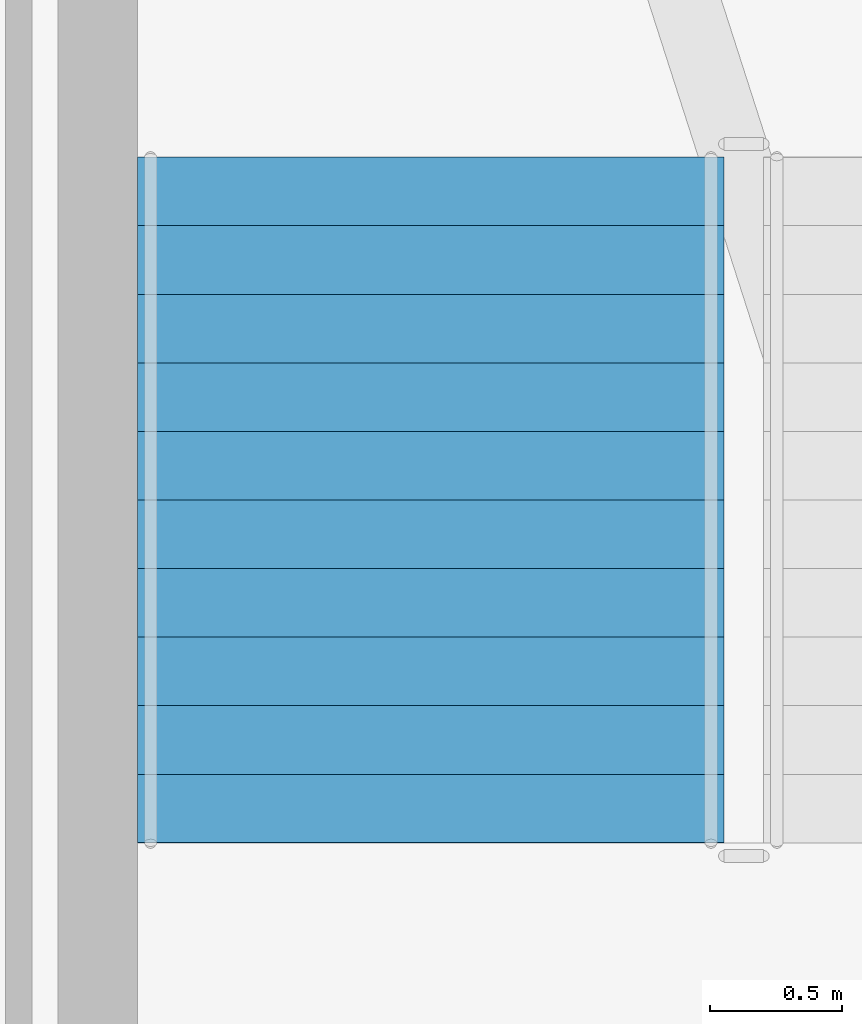
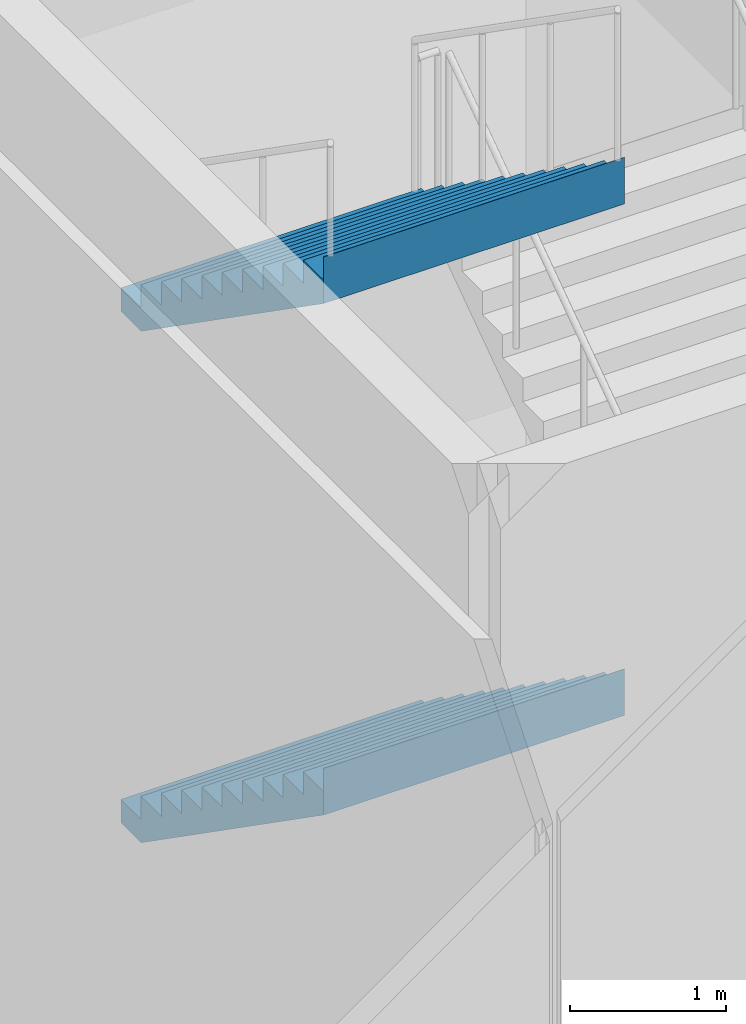
# One storey, part 29 of 36: 2 stair flights, 1 element without a shape of its own.
"""IFC4 building model written with IfcOpenShell, lengths in metres."""

from ifc_helpers import new_model, si_unit, direction, frame, origin, place, context, subcontext, project, spatial, triangles, material, type_object, element, aggregate, save


model = new_model("IFC4")

# Units and contexts
model_context = context("Model", 3, precision=1e-05, world=origin(), true_north=direction((0.0, 1.0)))
body_context = subcontext(model_context, "Body", "Model", "MODEL_VIEW")
ifc_project = project(units=[si_unit("LENGTHUNIT", "METRE"), si_unit("AREAUNIT", "SQUARE_METRE"), si_unit("VOLUMEUNIT", "CUBIC_METRE"), si_unit("PLANEANGLEUNIT", "RADIAN"), si_unit("MASSUNIT", "GRAM", prefix="KILO")], contexts=[model_context])

# Site, building, storey
site_placement = place(None, origin())
site = spatial("IfcSite", under=ifc_project, at=site_placement, CompositionType="ELEMENT")
building_placement = place(site_placement, origin())
building = spatial("IfcBuilding", under=site, at=building_placement, Name="Sahrelin Media Tower", CompositionType="ELEMENT")
storey_placement = place(building_placement, origin())
storey = spatial("IfcBuildingStorey", under=building, at=storey_placement, Name="L00", CompositionType="ELEMENT", Elevation=0.0)

# Stair, stair flights
ifc_material = material(Name="Concrete C40/50", Category="concrete")
stair_type = type_object("IfcStairType", Name="Podium stair 2225", PredefinedType="HALF_TURN_STAIR", material=ifc_material)
stair_placement = place(storey_placement, origin())
stair = element("IfcStair", 1, at=stair_placement, inside=storey, type_object=stair_type, Name="L00 Podium stair PS2", PredefinedType="HALF_TURN_STAIR")
stair_flight_type = type_object("IfcStairFlightType", Name="Stair flight 2225", PredefinedType="STRAIGHT", material=ifc_material)
stair_flight_1_placement = place(storey_placement, frame((-11.83740234375, 33.22509765625, 2.0), z_axis=(0.0, 0.0, 1.0), x_axis=(0.0, -1.0, 0.0)))
stair_flight_1 = element("IfcStairFlight", 2, at=stair_flight_1_placement, type_object=stair_flight_type, Name="PS2 flight 2", NumberOfRisers=11, NumberOfTreads=10, PredefinedType="STRAIGHT", RiserHeight=0.181818182, TreadLength=0.26, context=body_context, shape_type="Tessellation", body=[
    triangles([(0.261474609375, 1.112548828125, 0.0), (0.261474609375, 0.794677734375, 0.0), (0.261474609375, 0.476806640625, 0.0), (0.261474609375, 0.158935546875, 0.0), (0.261474609375, -0.158935546875, 0.0), (0.261474609375, -0.476806640625, 0.0), (0.261474609375, -0.794677734375, 0.0), (0.261474609375, -1.112548828125, 0.0), (2.60009765625, 1.112548828125, 1.63525390625), (2.60009765625, 0.794677734375, 1.63525390625), (2.60009765625, 0.476806640625, 1.63525390625), (2.60009765625, 0.158935546875, 1.63525390625), (2.60009765625, -0.158935546875, 1.63525390625), (2.60009765625, -0.476806640625, 1.63525390625), (2.60009765625, -0.794677734375, 1.63525390625), (2.60009765625, -1.112548828125, 1.63525390625), (2.60009765625, 1.112548828125, 2.0), (2.60009765625, 0.794677734375, 2.0), (2.60009765625, 0.476806640625, 2.0), (2.60009765625, 0.158935546875, 2.0), (2.60009765625, -0.158935546875, 2.0), (2.60009765625, -0.476806640625, 2.0), (2.60009765625, -0.794677734375, 2.0), (2.60009765625, -1.112548828125, 2.0), (2.597900390625, 1.112548828125, 2.0), (2.597900390625, 0.794677734375, 2.0), (2.597900390625, 0.476806640625, 2.0), (2.597900390625, 0.158935546875, 2.0), (2.597900390625, -0.158935546875, 2.0), (2.597900390625, -0.476806640625, 2.0), (2.597900390625, -0.794677734375, 2.0), (2.597900390625, -1.112548828125, 2.0), (2.597900390625, 1.112548828125, 1.818115234375), (2.597900390625, 0.794677734375, 1.818115234375), (2.597900390625, 0.476806640625, 1.818115234375), (2.597900390625, 0.158935546875, 1.818115234375), (2.597900390625, -0.158935546875, 1.818115234375), (2.597900390625, -0.476806640625, 1.818115234375), (2.597900390625, -0.794677734375, 1.818115234375), (2.597900390625, -1.112548828125, 1.818115234375), (2.340087890625, 1.112548828125, 1.818115234375), (2.340087890625, 0.794677734375, 1.818115234375), (2.340087890625, 0.476806640625, 1.818115234375), (2.340087890625, 0.158935546875, 1.818115234375), (2.340087890625, -0.158935546875, 1.818115234375), (2.340087890625, -0.476806640625, 1.818115234375), (2.340087890625, -0.794677734375, 1.818115234375), (2.340087890625, -1.112548828125, 1.818115234375), (2.340087890625, 1.112548828125, 1.636474609375), (2.340087890625, 0.794677734375, 1.636474609375), (2.340087890625, 0.476806640625, 1.636474609375), (2.340087890625, 0.158935546875, 1.636474609375), (2.340087890625, -0.158935546875, 1.636474609375), (2.340087890625, -0.476806640625, 1.636474609375), (2.340087890625, -0.794677734375, 1.636474609375), (2.340087890625, -1.112548828125, 1.636474609375), (2.080078125, 1.112548828125, 1.636474609375), (2.080078125, 0.794677734375, 1.636474609375), (2.080078125, 0.476806640625, 1.636474609375), (2.080078125, 0.158935546875, 1.636474609375), (2.080078125, -0.158935546875, 1.636474609375), (2.080078125, -0.476806640625, 1.636474609375), (2.080078125, -0.794677734375, 1.636474609375), (2.080078125, -1.112548828125, 1.636474609375), (2.080078125, 1.112548828125, 1.45458984375), (2.080078125, 0.794677734375, 1.45458984375), (2.080078125, 0.476806640625, 1.45458984375), (2.080078125, 0.158935546875, 1.45458984375), (2.080078125, -0.158935546875, 1.45458984375), (2.080078125, -0.476806640625, 1.45458984375), (2.080078125, -0.794677734375, 1.45458984375), (2.080078125, -1.112548828125, 1.45458984375), (1.820068359375, 1.112548828125, 1.45458984375), (1.820068359375, 0.794677734375, 1.45458984375), (1.820068359375, 0.476806640625, 1.45458984375), (1.820068359375, 0.158935546875, 1.45458984375), (1.820068359375, -0.158935546875, 1.45458984375), (1.820068359375, -0.476806640625, 1.45458984375), (1.820068359375, -0.794677734375, 1.45458984375), (1.820068359375, -1.112548828125, 1.45458984375), (1.820068359375, 1.112548828125, 1.272705078125), (1.820068359375, 0.794677734375, 1.272705078125), (1.820068359375, 0.476806640625, 1.272705078125), (1.820068359375, 0.158935546875, 1.272705078125), (1.820068359375, -0.158935546875, 1.272705078125), (1.820068359375, -0.476806640625, 1.272705078125), (1.820068359375, -0.794677734375, 1.272705078125), (1.820068359375, -1.112548828125, 1.272705078125), (1.56005859375, 1.112548828125, 1.272705078125), (1.56005859375, 0.794677734375, 1.272705078125), (1.56005859375, 0.476806640625, 1.272705078125), (1.56005859375, 0.158935546875, 1.272705078125), (1.56005859375, -0.158935546875, 1.272705078125), (1.56005859375, -0.476806640625, 1.272705078125), (1.56005859375, -0.794677734375, 1.272705078125), (1.56005859375, -1.112548828125, 1.272705078125), (1.56005859375, 1.112548828125, 1.0908203125), (1.56005859375, 0.794677734375, 1.0908203125), (1.56005859375, 0.476806640625, 1.0908203125), (1.56005859375, 0.158935546875, 1.0908203125), (1.56005859375, -0.158935546875, 1.0908203125), (1.56005859375, -0.476806640625, 1.0908203125), (1.56005859375, -0.794677734375, 1.0908203125), (1.56005859375, -1.112548828125, 1.0908203125), (1.300048828125, 1.112548828125, 1.0908203125), (1.300048828125, 0.794677734375, 1.0908203125), (1.300048828125, 0.476806640625, 1.0908203125), (1.300048828125, 0.158935546875, 1.0908203125), (1.300048828125, -0.158935546875, 1.0908203125), (1.300048828125, -0.476806640625, 1.0908203125), (1.300048828125, -0.794677734375, 1.0908203125), (1.300048828125, -1.112548828125, 1.0908203125), (1.300048828125, 1.112548828125, 0.9091796875), (1.300048828125, 0.794677734375, 0.9091796875), (1.300048828125, 0.476806640625, 0.9091796875), (1.300048828125, 0.158935546875, 0.9091796875), (1.300048828125, -0.158935546875, 0.9091796875), (1.300048828125, -0.476806640625, 0.9091796875), (1.300048828125, -0.794677734375, 0.9091796875), (1.300048828125, -1.112548828125, 0.9091796875), (1.0400390625, 1.112548828125, 0.9091796875), (1.0400390625, 0.794677734375, 0.9091796875), (1.0400390625, 0.476806640625, 0.9091796875), (1.0400390625, 0.158935546875, 0.9091796875), (1.0400390625, -0.158935546875, 0.9091796875), (1.0400390625, -0.476806640625, 0.9091796875), (1.0400390625, -0.794677734375, 0.9091796875), (1.0400390625, -1.112548828125, 0.9091796875), (1.0400390625, 1.112548828125, 0.727294921875), (1.0400390625, 0.794677734375, 0.727294921875), (1.0400390625, 0.476806640625, 0.727294921875), (1.0400390625, 0.158935546875, 0.727294921875), (1.0400390625, -0.158935546875, 0.727294921875), (1.0400390625, -0.476806640625, 0.727294921875), (1.0400390625, -0.794677734375, 0.727294921875), (1.0400390625, -1.112548828125, 0.727294921875), (0.780029296875, 1.112548828125, 0.727294921875), (0.780029296875, 0.794677734375, 0.727294921875), (0.780029296875, 0.476806640625, 0.727294921875), (0.780029296875, 0.158935546875, 0.727294921875), (0.780029296875, -0.158935546875, 0.727294921875), (0.780029296875, -0.476806640625, 0.727294921875), (0.780029296875, -0.794677734375, 0.727294921875), (0.780029296875, -1.112548828125, 0.727294921875), (0.780029296875, 1.112548828125, 0.54541015625), (0.780029296875, 0.794677734375, 0.54541015625), (0.780029296875, 0.476806640625, 0.54541015625), (0.780029296875, 0.158935546875, 0.54541015625), (0.780029296875, -0.158935546875, 0.54541015625), (0.780029296875, -0.476806640625, 0.54541015625), (0.780029296875, -0.794677734375, 0.54541015625), (0.780029296875, -1.112548828125, 0.54541015625), (0.52001953125, 1.112548828125, 0.54541015625), (0.52001953125, 0.794677734375, 0.54541015625), (0.52001953125, 0.476806640625, 0.54541015625), (0.52001953125, 0.158935546875, 0.54541015625), (0.52001953125, -0.158935546875, 0.54541015625), (0.52001953125, -0.476806640625, 0.54541015625), (0.52001953125, -0.794677734375, 0.54541015625), (0.52001953125, -1.112548828125, 0.54541015625), (0.52001953125, 1.112548828125, 0.363525390625), (0.52001953125, 0.794677734375, 0.363525390625), (0.52001953125, 0.476806640625, 0.363525390625), (0.52001953125, 0.158935546875, 0.363525390625), (0.52001953125, -0.158935546875, 0.363525390625), (0.52001953125, -0.476806640625, 0.363525390625), (0.52001953125, -0.794677734375, 0.363525390625), (0.52001953125, -1.112548828125, 0.363525390625), (0.260009765625, 1.112548828125, 0.363525390625), (0.260009765625, 0.794677734375, 0.363525390625), (0.260009765625, 0.476806640625, 0.363525390625), (0.260009765625, 0.158935546875, 0.363525390625), (0.260009765625, -0.158935546875, 0.363525390625), (0.260009765625, -0.476806640625, 0.363525390625), (0.260009765625, -0.794677734375, 0.363525390625), (0.260009765625, -1.112548828125, 0.363525390625), (0.260009765625, 1.112548828125, 0.181884765625), (0.260009765625, 0.794677734375, 0.181884765625), (0.260009765625, 0.476806640625, 0.181884765625), (0.260009765625, 0.158935546875, 0.181884765625), (0.260009765625, -0.158935546875, 0.181884765625), (0.260009765625, -0.476806640625, 0.181884765625), (0.260009765625, -0.794677734375, 0.181884765625), (0.260009765625, -1.112548828125, 0.181884765625), (0.0, 1.112548828125, 0.181884765625), (0.0, 0.794677734375, 0.181884765625), (0.0, 0.476806640625, 0.181884765625), (0.0, 0.158935546875, 0.181884765625), (0.0, -0.158935546875, 0.181884765625), (0.0, -0.476806640625, 0.181884765625), (0.0, -0.794677734375, 0.181884765625), (0.0, -1.112548828125, 0.181884765625), (0.0, 1.112548828125, 0.0), (0.0, 0.794677734375, 0.0), (0.0, 0.476806640625, 0.0), (0.0, 0.158935546875, 0.0), (0.0, -0.158935546875, 0.0), (0.0, -0.476806640625, 0.0), (0.0, -0.794677734375, 0.0), (0.0, -1.112548828125, 0.0)], [[1, 9, 10], [1, 10, 2], [2, 10, 11], [2, 11, 3], [3, 11, 12], [3, 12, 4], [4, 12, 13], [4, 13, 5], [5, 13, 14], [5, 14, 6], [6, 14, 15], [6, 15, 7], [7, 15, 16], [7, 16, 8], [9, 17, 18], [9, 18, 10], [10, 18, 19], [10, 19, 11], [11, 19, 20], [11, 20, 12], [12, 20, 21], [12, 21, 13], [13, 21, 22], [13, 22, 14], [14, 22, 23], [14, 23, 15], [15, 23, 24], [15, 24, 16], [17, 25, 26], [17, 26, 18], [18, 26, 27], [18, 27, 19], [19, 27, 28], [19, 28, 20], [20, 28, 29], [20, 29, 21], [21, 29, 30], [21, 30, 22], [22, 30, 31], [22, 31, 23], [23, 31, 32], [23, 32, 24], [25, 33, 34], [25, 34, 26], [26, 34, 35], [26, 35, 27], [27, 35, 36], [27, 36, 28], [28, 36, 37], [28, 37, 29], [29, 37, 38], [29, 38, 30], [30, 38, 39], [30, 39, 31], [31, 39, 40], [31, 40, 32], [33, 41, 42], [33, 42, 34], [34, 42, 43], [34, 43, 35], [35, 43, 44], [35, 44, 36], [36, 44, 45], [36, 45, 37], [37, 45, 46], [37, 46, 38], [38, 46, 47], [38, 47, 39], [39, 47, 48], [39, 48, 40], [41, 49, 50], [41, 50, 42], [42, 50, 51], [42, 51, 43], [43, 51, 52], [43, 52, 44], [44, 52, 53], [44, 53, 45], [45, 53, 54], [45, 54, 46], [46, 54, 55], [46, 55, 47], [47, 55, 56], [47, 56, 48], [49, 57, 58], [49, 58, 50], [50, 58, 59], [50, 59, 51], [51, 59, 60], [51, 60, 52], [52, 60, 61], [52, 61, 53], [53, 61, 62], [53, 62, 54], [54, 62, 63], [54, 63, 55], [55, 63, 64], [55, 64, 56], [57, 65, 66], [57, 66, 58], [58, 66, 67], [58, 67, 59], [59, 67, 68], [59, 68, 60], [60, 68, 69], [60, 69, 61], [61, 69, 70], [61, 70, 62], [62, 70, 71], [62, 71, 63], [63, 71, 72], [63, 72, 64], [65, 73, 74], [65, 74, 66], [66, 74, 75], [66, 75, 67], [67, 75, 76], [67, 76, 68], [68, 76, 77], [68, 77, 69], [69, 77, 78], [69, 78, 70], [70, 78, 79], [70, 79, 71], [71, 79, 80], [71, 80, 72], [73, 81, 82], [73, 82, 74], [74, 82, 83], [74, 83, 75], [75, 83, 84], [75, 84, 76], [76, 84, 85], [76, 85, 77], [77, 85, 86], [77, 86, 78], [78, 86, 87], [78, 87, 79], [79, 87, 88], [79, 88, 80], [81, 89, 90], [81, 90, 82], [82, 90, 91], [82, 91, 83], [83, 91, 92], [83, 92, 84], [84, 92, 93], [84, 93, 85], [85, 93, 94], [85, 94, 86], [86, 94, 95], [86, 95, 87], [87, 95, 96], [87, 96, 88], [89, 97, 98], [89, 98, 90], [90, 98, 99], [90, 99, 91], [91, 99, 100], [91, 100, 92], [92, 100, 101], [92, 101, 93], [93, 101, 102], [93, 102, 94], [94, 102, 103], [94, 103, 95], [95, 103, 104], [95, 104, 96], [97, 105, 106], [97, 106, 98], [98, 106, 107], [98, 107, 99], [99, 107, 108], [99, 108, 100], [100, 108, 109], [100, 109, 101], [101, 109, 110], [101, 110, 102], [102, 110, 111], [102, 111, 103], [103, 111, 112], [103, 112, 104], [105, 113, 114], [105, 114, 106], [106, 114, 115], [106, 115, 107], [107, 115, 116], [107, 116, 108], [108, 116, 117], [108, 117, 109], [109, 117, 118], [109, 118, 110], [110, 118, 119], [110, 119, 111], [111, 119, 120], [111, 120, 112], [113, 121, 122], [113, 122, 114], [114, 122, 123], [114, 123, 115], [115, 123, 124], [115, 124, 116], [116, 124, 125], [116, 125, 117], [117, 125, 126], [117, 126, 118], [118, 126, 127], [118, 127, 119], [119, 127, 128], [119, 128, 120], [121, 129, 130], [121, 130, 122], [122, 130, 131], [122, 131, 123], [123, 131, 132], [123, 132, 124], [124, 132, 133], [124, 133, 125], [125, 133, 134], [125, 134, 126], [126, 134, 135], [126, 135, 127], [127, 135, 136], [127, 136, 128], [129, 137, 138], [129, 138, 130], [130, 138, 139], [130, 139, 131], [131, 139, 140], [131, 140, 132], [132, 140, 141], [132, 141, 133], [133, 141, 142], [133, 142, 134], [134, 142, 143], [134, 143, 135], [135, 143, 144], [135, 144, 136], [137, 145, 146], [137, 146, 138], [138, 146, 147], [138, 147, 139], [139, 147, 148], [139, 148, 140], [140, 148, 149], [140, 149, 141], [141, 149, 150], [141, 150, 142], [142, 150, 151], [142, 151, 143], [143, 151, 152], [143, 152, 144], [145, 153, 154], [145, 154, 146], [146, 154, 155], [146, 155, 147], [147, 155, 156], [147, 156, 148], [148, 156, 157], [148, 157, 149], [149, 157, 158], [149, 158, 150], [150, 158, 159], [150, 159, 151], [151, 159, 160], [151, 160, 152], [153, 161, 162], [153, 162, 154], [154, 162, 163], [154, 163, 155], [155, 163, 164], [155, 164, 156], [156, 164, 165], [156, 165, 157], [157, 165, 166], [157, 166, 158], [158, 166, 167], [158, 167, 159], [159, 167, 168], [159, 168, 160], [161, 169, 170], [161, 170, 162], [162, 170, 171], [162, 171, 163], [163, 171, 172], [163, 172, 164], [164, 172, 173], [164, 173, 165], [165, 173, 174], [165, 174, 166], [166, 174, 175], [166, 175, 167], [167, 175, 176], [167, 176, 168], [169, 177, 178], [169, 178, 170], [170, 178, 179], [170, 179, 171], [171, 179, 180], [171, 180, 172], [172, 180, 181], [172, 181, 173], [173, 181, 182], [173, 182, 174], [174, 182, 183], [174, 183, 175], [175, 183, 184], [175, 184, 176], [177, 185, 186], [177, 186, 178], [178, 186, 187], [178, 187, 179], [179, 187, 188], [179, 188, 180], [180, 188, 189], [180, 189, 181], [181, 189, 190], [181, 190, 182], [182, 190, 191], [182, 191, 183], [183, 191, 192], [183, 192, 184], [185, 193, 194], [185, 194, 186], [186, 194, 195], [186, 195, 187], [187, 195, 196], [187, 196, 188], [188, 196, 197], [188, 197, 189], [189, 197, 198], [189, 198, 190], [190, 198, 199], [190, 199, 191], [191, 199, 200], [191, 200, 192], [193, 1, 2], [193, 2, 194], [194, 2, 3], [194, 3, 195], [195, 3, 4], [195, 4, 196], [196, 4, 5], [196, 5, 197], [197, 5, 6], [197, 6, 198], [198, 6, 7], [198, 7, 199], [199, 7, 8], [199, 8, 200], [184, 192, 200], [177, 193, 185], [184, 168, 176], [177, 169, 161], [168, 152, 160], [161, 153, 145], [152, 136, 144], [145, 137, 129], [136, 120, 128], [129, 121, 113], [120, 104, 112], [113, 105, 97], [104, 88, 96], [97, 89, 81], [88, 72, 80], [81, 73, 65], [72, 56, 64], [65, 57, 49], [56, 40, 48], [49, 41, 33], [40, 24, 32], [33, 25, 17], [200, 8, 184], [193, 177, 1], [40, 16, 24], [33, 17, 9], [168, 184, 8], [161, 1, 177], [56, 16, 40], [49, 33, 9], [152, 168, 8], [145, 1, 161], [72, 16, 56], [65, 49, 9], [136, 152, 8], [129, 1, 145], [88, 16, 72], [81, 65, 9], [120, 136, 8], [113, 1, 129], [104, 16, 88], [97, 81, 9], [8, 16, 120], [1, 113, 9], [120, 16, 104], [113, 97, 9]], closed=True),
])
stair_flight_2_placement = place(storey_placement, frame((-11.83740234375, 33.22509765625, 6.0), z_axis=(0.0, 0.0, 1.0), x_axis=(0.0, -1.0, 0.0)))
stair_flight_2 = element("IfcStairFlight", 3, at=stair_flight_2_placement, type_object=stair_flight_type, Name="PS2 flight 4", NumberOfRisers=11, NumberOfTreads=10, PredefinedType="STRAIGHT", RiserHeight=0.181818182, TreadLength=0.26, context=body_context, shape_type="Tessellation", body=[
    triangles([(0.261474609375, 1.112548828125, 0.0), (0.261474609375, 0.794677734375, 0.0), (0.261474609375, 0.476806640625, 0.0), (0.261474609375, 0.158935546875, 0.0), (0.261474609375, -0.158935546875, 0.0), (0.261474609375, -0.476806640625, 0.0), (0.261474609375, -0.794677734375, 0.0), (0.261474609375, -1.112548828125, 0.0), (2.60009765625, 1.112548828125, 1.63525390625), (2.60009765625, 0.794677734375, 1.63525390625), (2.60009765625, 0.476806640625, 1.63525390625), (2.60009765625, 0.158935546875, 1.63525390625), (2.60009765625, -0.158935546875, 1.63525390625), (2.60009765625, -0.476806640625, 1.63525390625), (2.60009765625, -0.794677734375, 1.63525390625), (2.60009765625, -1.112548828125, 1.63525390625), (2.60009765625, 1.112548828125, 2.0), (2.60009765625, 0.794677734375, 2.0), (2.60009765625, 0.476806640625, 2.0), (2.60009765625, 0.158935546875, 2.0), (2.60009765625, -0.158935546875, 2.0), (2.60009765625, -0.476806640625, 2.0), (2.60009765625, -0.794677734375, 2.0), (2.60009765625, -1.112548828125, 2.0), (2.597900390625, 1.112548828125, 2.0), (2.597900390625, 0.794677734375, 2.0), (2.597900390625, 0.476806640625, 2.0), (2.597900390625, 0.158935546875, 2.0), (2.597900390625, -0.158935546875, 2.0), (2.597900390625, -0.476806640625, 2.0), (2.597900390625, -0.794677734375, 2.0), (2.597900390625, -1.112548828125, 2.0), (2.597900390625, 1.112548828125, 1.818115234375), (2.597900390625, 0.794677734375, 1.818115234375), (2.597900390625, 0.476806640625, 1.818115234375), (2.597900390625, 0.158935546875, 1.818115234375), (2.597900390625, -0.158935546875, 1.818115234375), (2.597900390625, -0.476806640625, 1.818115234375), (2.597900390625, -0.794677734375, 1.818115234375), (2.597900390625, -1.112548828125, 1.818115234375), (2.340087890625, 1.112548828125, 1.818115234375), (2.340087890625, 0.794677734375, 1.818115234375), (2.340087890625, 0.476806640625, 1.818115234375), (2.340087890625, 0.158935546875, 1.818115234375), (2.340087890625, -0.158935546875, 1.818115234375), (2.340087890625, -0.476806640625, 1.818115234375), (2.340087890625, -0.794677734375, 1.818115234375), (2.340087890625, -1.112548828125, 1.818115234375), (2.340087890625, 1.112548828125, 1.636474609375), (2.340087890625, 0.794677734375, 1.636474609375), (2.340087890625, 0.476806640625, 1.636474609375), (2.340087890625, 0.158935546875, 1.636474609375), (2.340087890625, -0.158935546875, 1.636474609375), (2.340087890625, -0.476806640625, 1.636474609375), (2.340087890625, -0.794677734375, 1.636474609375), (2.340087890625, -1.112548828125, 1.636474609375), (2.080078125, 1.112548828125, 1.636474609375), (2.080078125, 0.794677734375, 1.636474609375), (2.080078125, 0.476806640625, 1.636474609375), (2.080078125, 0.158935546875, 1.636474609375), (2.080078125, -0.158935546875, 1.636474609375), (2.080078125, -0.476806640625, 1.636474609375), (2.080078125, -0.794677734375, 1.636474609375), (2.080078125, -1.112548828125, 1.636474609375), (2.080078125, 1.112548828125, 1.45458984375), (2.080078125, 0.794677734375, 1.45458984375), (2.080078125, 0.476806640625, 1.45458984375), (2.080078125, 0.158935546875, 1.45458984375), (2.080078125, -0.158935546875, 1.45458984375), (2.080078125, -0.476806640625, 1.45458984375), (2.080078125, -0.794677734375, 1.45458984375), (2.080078125, -1.112548828125, 1.45458984375), (1.820068359375, 1.112548828125, 1.45458984375), (1.820068359375, 0.794677734375, 1.45458984375), (1.820068359375, 0.476806640625, 1.45458984375), (1.820068359375, 0.158935546875, 1.45458984375), (1.820068359375, -0.158935546875, 1.45458984375), (1.820068359375, -0.476806640625, 1.45458984375), (1.820068359375, -0.794677734375, 1.45458984375), (1.820068359375, -1.112548828125, 1.45458984375), (1.820068359375, 1.112548828125, 1.272705078125), (1.820068359375, 0.794677734375, 1.272705078125), (1.820068359375, 0.476806640625, 1.272705078125), (1.820068359375, 0.158935546875, 1.272705078125), (1.820068359375, -0.158935546875, 1.272705078125), (1.820068359375, -0.476806640625, 1.272705078125), (1.820068359375, -0.794677734375, 1.272705078125), (1.820068359375, -1.112548828125, 1.272705078125), (1.56005859375, 1.112548828125, 1.272705078125), (1.56005859375, 0.794677734375, 1.272705078125), (1.56005859375, 0.476806640625, 1.272705078125), (1.56005859375, 0.158935546875, 1.272705078125), (1.56005859375, -0.158935546875, 1.272705078125), (1.56005859375, -0.476806640625, 1.272705078125), (1.56005859375, -0.794677734375, 1.272705078125), (1.56005859375, -1.112548828125, 1.272705078125), (1.56005859375, 1.112548828125, 1.0908203125), (1.56005859375, 0.794677734375, 1.0908203125), (1.56005859375, 0.476806640625, 1.0908203125), (1.56005859375, 0.158935546875, 1.0908203125), (1.56005859375, -0.158935546875, 1.0908203125), (1.56005859375, -0.476806640625, 1.0908203125), (1.56005859375, -0.794677734375, 1.0908203125), (1.56005859375, -1.112548828125, 1.0908203125), (1.300048828125, 1.112548828125, 1.0908203125), (1.300048828125, 0.794677734375, 1.0908203125), (1.300048828125, 0.476806640625, 1.0908203125), (1.300048828125, 0.158935546875, 1.0908203125), (1.300048828125, -0.158935546875, 1.0908203125), (1.300048828125, -0.476806640625, 1.0908203125), (1.300048828125, -0.794677734375, 1.0908203125), (1.300048828125, -1.112548828125, 1.0908203125), (1.300048828125, 1.112548828125, 0.9091796875), (1.300048828125, 0.794677734375, 0.9091796875), (1.300048828125, 0.476806640625, 0.9091796875), (1.300048828125, 0.158935546875, 0.9091796875), (1.300048828125, -0.158935546875, 0.9091796875), (1.300048828125, -0.476806640625, 0.9091796875), (1.300048828125, -0.794677734375, 0.9091796875), (1.300048828125, -1.112548828125, 0.9091796875), (1.0400390625, 1.112548828125, 0.9091796875), (1.0400390625, 0.794677734375, 0.9091796875), (1.0400390625, 0.476806640625, 0.9091796875), (1.0400390625, 0.158935546875, 0.9091796875), (1.0400390625, -0.158935546875, 0.9091796875), (1.0400390625, -0.476806640625, 0.9091796875), (1.0400390625, -0.794677734375, 0.9091796875), (1.0400390625, -1.112548828125, 0.9091796875), (1.0400390625, 1.112548828125, 0.727294921875), (1.0400390625, 0.794677734375, 0.727294921875), (1.0400390625, 0.476806640625, 0.727294921875), (1.0400390625, 0.158935546875, 0.727294921875), (1.0400390625, -0.158935546875, 0.727294921875), (1.0400390625, -0.476806640625, 0.727294921875), (1.0400390625, -0.794677734375, 0.727294921875), (1.0400390625, -1.112548828125, 0.727294921875), (0.780029296875, 1.112548828125, 0.727294921875), (0.780029296875, 0.794677734375, 0.727294921875), (0.780029296875, 0.476806640625, 0.727294921875), (0.780029296875, 0.158935546875, 0.727294921875), (0.780029296875, -0.158935546875, 0.727294921875), (0.780029296875, -0.476806640625, 0.727294921875), (0.780029296875, -0.794677734375, 0.727294921875), (0.780029296875, -1.112548828125, 0.727294921875), (0.780029296875, 1.112548828125, 0.54541015625), (0.780029296875, 0.794677734375, 0.54541015625), (0.780029296875, 0.476806640625, 0.54541015625), (0.780029296875, 0.158935546875, 0.54541015625), (0.780029296875, -0.158935546875, 0.54541015625), (0.780029296875, -0.476806640625, 0.54541015625), (0.780029296875, -0.794677734375, 0.54541015625), (0.780029296875, -1.112548828125, 0.54541015625), (0.52001953125, 1.112548828125, 0.54541015625), (0.52001953125, 0.794677734375, 0.54541015625), (0.52001953125, 0.476806640625, 0.54541015625), (0.52001953125, 0.158935546875, 0.54541015625), (0.52001953125, -0.158935546875, 0.54541015625), (0.52001953125, -0.476806640625, 0.54541015625), (0.52001953125, -0.794677734375, 0.54541015625), (0.52001953125, -1.112548828125, 0.54541015625), (0.52001953125, 1.112548828125, 0.363525390625), (0.52001953125, 0.794677734375, 0.363525390625), (0.52001953125, 0.476806640625, 0.363525390625), (0.52001953125, 0.158935546875, 0.363525390625), (0.52001953125, -0.158935546875, 0.363525390625), (0.52001953125, -0.476806640625, 0.363525390625), (0.52001953125, -0.794677734375, 0.363525390625), (0.52001953125, -1.112548828125, 0.363525390625), (0.260009765625, 1.112548828125, 0.363525390625), (0.260009765625, 0.794677734375, 0.363525390625), (0.260009765625, 0.476806640625, 0.363525390625), (0.260009765625, 0.158935546875, 0.363525390625), (0.260009765625, -0.158935546875, 0.363525390625), (0.260009765625, -0.476806640625, 0.363525390625), (0.260009765625, -0.794677734375, 0.363525390625), (0.260009765625, -1.112548828125, 0.363525390625), (0.260009765625, 1.112548828125, 0.181884765625), (0.260009765625, 0.794677734375, 0.181884765625), (0.260009765625, 0.476806640625, 0.181884765625), (0.260009765625, 0.158935546875, 0.181884765625), (0.260009765625, -0.158935546875, 0.181884765625), (0.260009765625, -0.476806640625, 0.181884765625), (0.260009765625, -0.794677734375, 0.181884765625), (0.260009765625, -1.112548828125, 0.181884765625), (0.0, 1.112548828125, 0.181884765625), (0.0, 0.794677734375, 0.181884765625), (0.0, 0.476806640625, 0.181884765625), (0.0, 0.158935546875, 0.181884765625), (0.0, -0.158935546875, 0.181884765625), (0.0, -0.476806640625, 0.181884765625), (0.0, -0.794677734375, 0.181884765625), (0.0, -1.112548828125, 0.181884765625), (0.0, 1.112548828125, 0.0), (0.0, 0.794677734375, 0.0), (0.0, 0.476806640625, 0.0), (0.0, 0.158935546875, 0.0), (0.0, -0.158935546875, 0.0), (0.0, -0.476806640625, 0.0), (0.0, -0.794677734375, 0.0), (0.0, -1.112548828125, 0.0)], [[1, 9, 10], [1, 10, 2], [2, 10, 11], [2, 11, 3], [3, 11, 12], [3, 12, 4], [4, 12, 13], [4, 13, 5], [5, 13, 14], [5, 14, 6], [6, 14, 15], [6, 15, 7], [7, 15, 16], [7, 16, 8], [9, 17, 18], [9, 18, 10], [10, 18, 19], [10, 19, 11], [11, 19, 20], [11, 20, 12], [12, 20, 21], [12, 21, 13], [13, 21, 22], [13, 22, 14], [14, 22, 23], [14, 23, 15], [15, 23, 24], [15, 24, 16], [17, 25, 26], [17, 26, 18], [18, 26, 27], [18, 27, 19], [19, 27, 28], [19, 28, 20], [20, 28, 29], [20, 29, 21], [21, 29, 30], [21, 30, 22], [22, 30, 31], [22, 31, 23], [23, 31, 32], [23, 32, 24], [25, 33, 34], [25, 34, 26], [26, 34, 35], [26, 35, 27], [27, 35, 36], [27, 36, 28], [28, 36, 37], [28, 37, 29], [29, 37, 38], [29, 38, 30], [30, 38, 39], [30, 39, 31], [31, 39, 40], [31, 40, 32], [33, 41, 42], [33, 42, 34], [34, 42, 43], [34, 43, 35], [35, 43, 44], [35, 44, 36], [36, 44, 45], [36, 45, 37], [37, 45, 46], [37, 46, 38], [38, 46, 47], [38, 47, 39], [39, 47, 48], [39, 48, 40], [41, 49, 50], [41, 50, 42], [42, 50, 51], [42, 51, 43], [43, 51, 52], [43, 52, 44], [44, 52, 53], [44, 53, 45], [45, 53, 54], [45, 54, 46], [46, 54, 55], [46, 55, 47], [47, 55, 56], [47, 56, 48], [49, 57, 58], [49, 58, 50], [50, 58, 59], [50, 59, 51], [51, 59, 60], [51, 60, 52], [52, 60, 61], [52, 61, 53], [53, 61, 62], [53, 62, 54], [54, 62, 63], [54, 63, 55], [55, 63, 64], [55, 64, 56], [57, 65, 66], [57, 66, 58], [58, 66, 67], [58, 67, 59], [59, 67, 68], [59, 68, 60], [60, 68, 69], [60, 69, 61], [61, 69, 70], [61, 70, 62], [62, 70, 71], [62, 71, 63], [63, 71, 72], [63, 72, 64], [65, 73, 74], [65, 74, 66], [66, 74, 75], [66, 75, 67], [67, 75, 76], [67, 76, 68], [68, 76, 77], [68, 77, 69], [69, 77, 78], [69, 78, 70], [70, 78, 79], [70, 79, 71], [71, 79, 80], [71, 80, 72], [73, 81, 82], [73, 82, 74], [74, 82, 83], [74, 83, 75], [75, 83, 84], [75, 84, 76], [76, 84, 85], [76, 85, 77], [77, 85, 86], [77, 86, 78], [78, 86, 87], [78, 87, 79], [79, 87, 88], [79, 88, 80], [81, 89, 90], [81, 90, 82], [82, 90, 91], [82, 91, 83], [83, 91, 92], [83, 92, 84], [84, 92, 93], [84, 93, 85], [85, 93, 94], [85, 94, 86], [86, 94, 95], [86, 95, 87], [87, 95, 96], [87, 96, 88], [89, 97, 98], [89, 98, 90], [90, 98, 99], [90, 99, 91], [91, 99, 100], [91, 100, 92], [92, 100, 101], [92, 101, 93], [93, 101, 102], [93, 102, 94], [94, 102, 103], [94, 103, 95], [95, 103, 104], [95, 104, 96], [97, 105, 106], [97, 106, 98], [98, 106, 107], [98, 107, 99], [99, 107, 108], [99, 108, 100], [100, 108, 109], [100, 109, 101], [101, 109, 110], [101, 110, 102], [102, 110, 111], [102, 111, 103], [103, 111, 112], [103, 112, 104], [105, 113, 114], [105, 114, 106], [106, 114, 115], [106, 115, 107], [107, 115, 116], [107, 116, 108], [108, 116, 117], [108, 117, 109], [109, 117, 118], [109, 118, 110], [110, 118, 119], [110, 119, 111], [111, 119, 120], [111, 120, 112], [113, 121, 122], [113, 122, 114], [114, 122, 123], [114, 123, 115], [115, 123, 124], [115, 124, 116], [116, 124, 125], [116, 125, 117], [117, 125, 126], [117, 126, 118], [118, 126, 127], [118, 127, 119], [119, 127, 128], [119, 128, 120], [121, 129, 130], [121, 130, 122], [122, 130, 131], [122, 131, 123], [123, 131, 132], [123, 132, 124], [124, 132, 133], [124, 133, 125], [125, 133, 134], [125, 134, 126], [126, 134, 135], [126, 135, 127], [127, 135, 136], [127, 136, 128], [129, 137, 138], [129, 138, 130], [130, 138, 139], [130, 139, 131], [131, 139, 140], [131, 140, 132], [132, 140, 141], [132, 141, 133], [133, 141, 142], [133, 142, 134], [134, 142, 143], [134, 143, 135], [135, 143, 144], [135, 144, 136], [137, 145, 146], [137, 146, 138], [138, 146, 147], [138, 147, 139], [139, 147, 148], [139, 148, 140], [140, 148, 149], [140, 149, 141], [141, 149, 150], [141, 150, 142], [142, 150, 151], [142, 151, 143], [143, 151, 152], [143, 152, 144], [145, 153, 154], [145, 154, 146], [146, 154, 155], [146, 155, 147], [147, 155, 156], [147, 156, 148], [148, 156, 157], [148, 157, 149], [149, 157, 158], [149, 158, 150], [150, 158, 159], [150, 159, 151], [151, 159, 160], [151, 160, 152], [153, 161, 162], [153, 162, 154], [154, 162, 163], [154, 163, 155], [155, 163, 164], [155, 164, 156], [156, 164, 165], [156, 165, 157], [157, 165, 166], [157, 166, 158], [158, 166, 167], [158, 167, 159], [159, 167, 168], [159, 168, 160], [161, 169, 170], [161, 170, 162], [162, 170, 171], [162, 171, 163], [163, 171, 172], [163, 172, 164], [164, 172, 173], [164, 173, 165], [165, 173, 174], [165, 174, 166], [166, 174, 175], [166, 175, 167], [167, 175, 176], [167, 176, 168], [169, 177, 178], [169, 178, 170], [170, 178, 179], [170, 179, 171], [171, 179, 180], [171, 180, 172], [172, 180, 181], [172, 181, 173], [173, 181, 182], [173, 182, 174], [174, 182, 183], [174, 183, 175], [175, 183, 184], [175, 184, 176], [177, 185, 186], [177, 186, 178], [178, 186, 187], [178, 187, 179], [179, 187, 188], [179, 188, 180], [180, 188, 189], [180, 189, 181], [181, 189, 190], [181, 190, 182], [182, 190, 191], [182, 191, 183], [183, 191, 192], [183, 192, 184], [185, 193, 194], [185, 194, 186], [186, 194, 195], [186, 195, 187], [187, 195, 196], [187, 196, 188], [188, 196, 197], [188, 197, 189], [189, 197, 198], [189, 198, 190], [190, 198, 199], [190, 199, 191], [191, 199, 200], [191, 200, 192], [193, 1, 2], [193, 2, 194], [194, 2, 3], [194, 3, 195], [195, 3, 4], [195, 4, 196], [196, 4, 5], [196, 5, 197], [197, 5, 6], [197, 6, 198], [198, 6, 7], [198, 7, 199], [199, 7, 8], [199, 8, 200], [184, 192, 200], [177, 193, 185], [184, 168, 176], [177, 169, 161], [168, 152, 160], [161, 153, 145], [152, 136, 144], [145, 137, 129], [136, 120, 128], [129, 121, 113], [120, 104, 112], [113, 105, 97], [104, 88, 96], [97, 89, 81], [88, 72, 80], [81, 73, 65], [72, 56, 64], [65, 57, 49], [56, 40, 48], [49, 41, 33], [40, 24, 32], [33, 25, 17], [200, 8, 184], [193, 177, 1], [40, 16, 24], [33, 17, 9], [168, 184, 8], [161, 1, 177], [56, 16, 40], [49, 33, 9], [152, 168, 8], [145, 1, 161], [72, 16, 56], [65, 49, 9], [136, 152, 8], [129, 1, 145], [88, 16, 72], [81, 65, 9], [120, 136, 8], [113, 1, 129], [104, 16, 88], [97, 81, 9], [8, 16, 120], [1, 113, 9], [120, 16, 104], [113, 97, 9]], closed=True),
])
aggregate(stair, [stair_flight_1, stair_flight_2])

save(model, "model.ifc")
